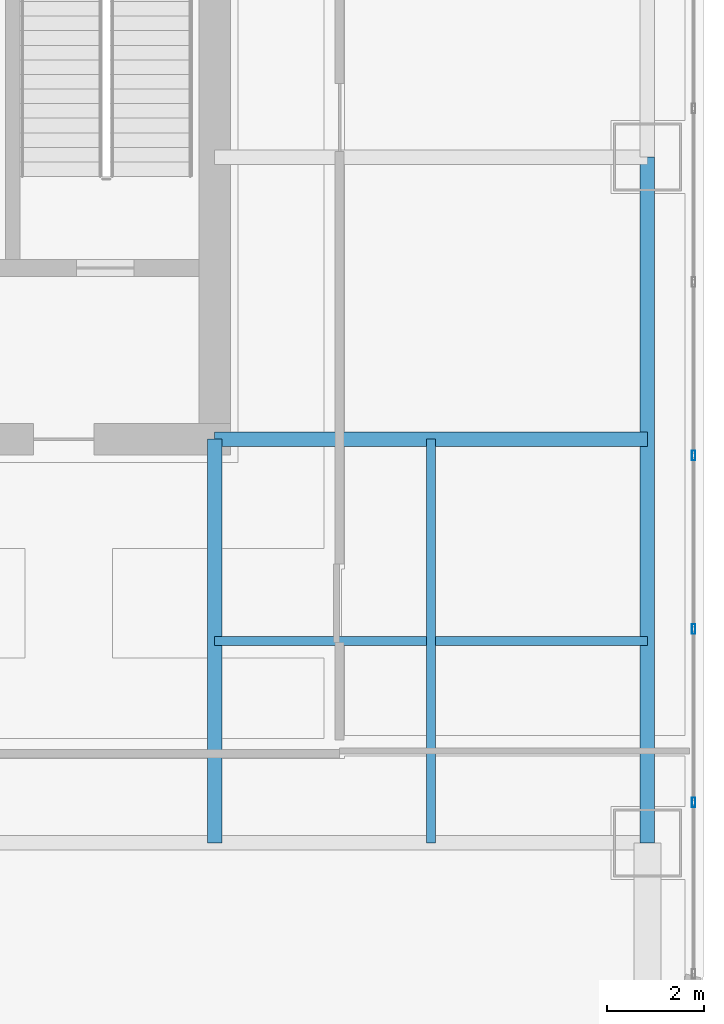
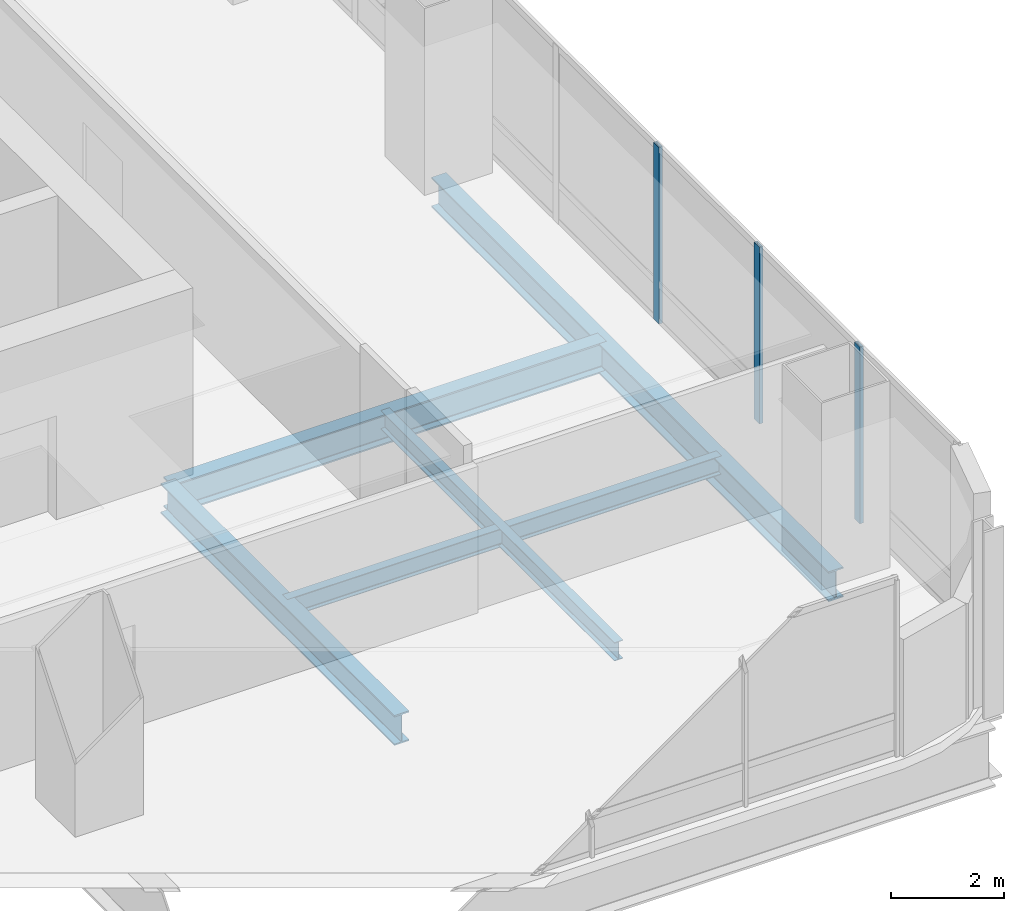
# One storey, part 13 of 38: 5 beams, 3 members, 1 element without a shape of its own.
"""IFC4 building model written with IfcOpenShell, lengths in metres."""

from ifc_helpers import new_model, si_unit, direction, frame, origin, origin_2d, place, context, subcontext, project, spatial, hollow_rectangle, i_section, extrude, material, material_profile, profile_set, type_object, element, aggregate, save


model = new_model("IFC4")

# Units and contexts
model_context = context("Model", 3, precision=1e-05, world=origin(), true_north=direction((0.0, 1.0)))
body_context = subcontext(model_context, "Body", "Model", "MODEL_VIEW")
ifc_project = project(units=[si_unit("LENGTHUNIT", "METRE"), si_unit("AREAUNIT", "SQUARE_METRE"), si_unit("VOLUMEUNIT", "CUBIC_METRE"), si_unit("PLANEANGLEUNIT", "RADIAN"), si_unit("MASSUNIT", "GRAM", prefix="KILO")], contexts=[model_context])

# Site, building, storey
site_placement = place(None, origin())
site = spatial("IfcSite", under=ifc_project, at=site_placement, CompositionType="ELEMENT")
building_placement = place(site_placement, origin())
building = spatial("IfcBuilding", under=site, at=building_placement, Name="Punatoya Terracotta Tower", CompositionType="ELEMENT")
storey_placement = place(building_placement, frame((0.0, 0.0, 188.39990234375)))
storey = spatial("IfcBuildingStorey", under=building, at=storey_placement, Name="L44", CompositionType="ELEMENT", Elevation=188.39990234375)

# Beams
ifc_material_1 = material(Name="Steel S355", Category="steel")
ifc_material_profile_1 = material_profile(ifc_material_1, i_section(OverallWidth=0.300048828125, OverallDepth=0.64990234375, WebThickness=0.01611328125, FlangeThickness=0.031005859375, FilletRadius=0.01806640625, at=origin_2d()))
ifc_profile_set_1 = profile_set([ifc_material_profile_1], Name="Steel S355")
beam_type_1 = type_object("IfcBeamType", Name="BM-PRI-650", PredefinedType="BEAM", material=ifc_profile_set_1)
beam_1_placement = place(storey_placement, frame((19.10009765625, -17.5, -0.544921875), z_axis=(0.0, 1.0, 0.0), x_axis=(-1.0, 0.0, 0.0)))
element("IfcBeam", 1, at=beam_1_placement, inside=storey, type_object=beam_type_1, Name="BM-L44-RG-E1", PredefinedType="BEAM", context=body_context, shape_type="SweptSolid", body=[
    extrude(i_section(OverallWidth=0.300048828125, OverallDepth=0.64990234375, WebThickness=0.01611328125, FlangeThickness=0.031005859375, FilletRadius=0.01806640625, at=origin_2d()), origin(), (0.0, 0.0, 1.0), 14.10009765625),
])
beam_2_placement = place(storey_placement, frame((10.199951171875, -9.199951171875, -0.544921875), z_axis=(1.0, 0.0, 0.0), x_axis=(0.0, 1.0, 0.0)))
element("IfcBeam", 2, at=beam_2_placement, inside=storey, type_object=beam_type_1, Name="BM-L44-PR-ES", PredefinedType="BEAM", context=body_context, shape_type="SweptSolid", body=[
    extrude(i_section(OverallWidth=0.300048828125, OverallDepth=0.64990234375, WebThickness=0.01611328125, FlangeThickness=0.031005859375, FilletRadius=0.01806640625, at=origin_2d()), origin(), (0.0, 0.0, 1.0), 8.900146484375),
])
beam_3_placement = place(storey_placement, frame((10.199951171875, -17.5, -0.544921875), z_axis=(0.0, 1.0, 0.0), x_axis=(-1.0, 0.0, 0.0)))
element("IfcBeam", 3, at=beam_3_placement, inside=storey, type_object=beam_type_1, Name="BM-L44-PR-S4", PredefinedType="BEAM", context=body_context, shape_type="SweptSolid", body=[
    extrude(i_section(OverallWidth=0.300048828125, OverallDepth=0.64990234375, WebThickness=0.01611328125, FlangeThickness=0.031005859375, FilletRadius=0.01806640625, at=origin_2d()), origin(), (0.0, 0.0, 1.0), 8.300048828125),
])
ifc_material_profile_2 = material_profile(ifc_material_1, i_section(OverallWidth=0.179931640625, OverallDepth=0.39990234375, WebThickness=0.008544921875, FlangeThickness=0.013427734375, FilletRadius=0.01806640625, at=origin_2d()))
ifc_profile_set_2 = profile_set([ifc_material_profile_2], Name="Steel S355")
beam_type_2 = type_object("IfcBeamType", Name="BM-SEC-400", PredefinedType="JOIST", material=ifc_profile_set_2)
beam_4_placement = place(storey_placement, frame((10.199951171875, -13.35009765625, -0.419921875), z_axis=(1.0, 0.0, 0.0), x_axis=(0.0, 1.0, 0.0)))
element("IfcBeam", 4, at=beam_4_placement, inside=storey, type_object=beam_type_2, Name="BM-L44-SJS-2", PredefinedType="JOIST", context=body_context, shape_type="SweptSolid", body=[
    extrude(i_section(OverallWidth=0.179931640625, OverallDepth=0.39990234375, WebThickness=0.008544921875, FlangeThickness=0.013427734375, FilletRadius=0.01806640625, at=origin_2d()), origin(), (0.0, 0.0, 1.0), 8.900146484375),
])
beam_5_placement = place(storey_placement, frame((14.64990234375, -17.5, -0.419921875), z_axis=(0.0, 1.0, 0.0), x_axis=(-1.0, 0.0, 0.0)))
element("IfcBeam", 5, at=beam_5_placement, inside=storey, type_object=beam_type_2, Name="BM-L44-SJE-1", PredefinedType="JOIST", context=body_context, shape_type="SweptSolid", body=[
    extrude(i_section(OverallWidth=0.179931640625, OverallDepth=0.39990234375, WebThickness=0.008544921875, FlangeThickness=0.013427734375, FilletRadius=0.01806640625, at=origin_2d()), origin(), (0.0, 0.0, 1.0), 8.300048828125),
])

# Curtain wall, members
ifc_material_2 = material(Name="Aluminium 6063-T6 + Double Low-E Glass", Category="aluminium")
curtain_wall_type = type_object("IfcCurtainWallType", Name="CW-M2", PredefinedType="NOTDEFINED", material=ifc_material_2)
curtain_wall_placement = place(storey_placement, origin())
curtain_wall = element("IfcCurtainWall", 6, at=curtain_wall_placement, inside=storey, type_object=curtain_wall_type, Name="L44 Curtain Wall CW-L44-E05-1", PredefinedType="NOTDEFINED")
ifc_material_3 = material(Name="Aluminium 6063-T6", Category="aluminium")
ifc_material_profile_3 = material_profile(ifc_material_3, hollow_rectangle(XDim=0.072021484375, YDim=0.195068359375, WallThickness=0.00439453125, at=origin_2d()))
ifc_profile_set_3 = profile_set([ifc_material_profile_3], Name="Aluminium 6063-T6")
member_type = type_object("IfcMemberType", Name="CW-MUL-M2", PredefinedType="MULLION", material=ifc_profile_set_3)
member_1_placement = place(storey_placement, frame((20.050048828125, -16.66943359375, 0.0), z_axis=(0.0, 0.0, 1.0), x_axis=(1.0, 0.0, 0.0)))
member_1 = element("IfcMember", 7, at=member_1_placement, type_object=member_type, Name="CW-L44-E05-1 Mullion 01", PredefinedType="MULLION", context=body_context, shape_type="SweptSolid", body=[
    extrude(hollow_rectangle(XDim=0.072021484375, YDim=0.195068359375, WallThickness=0.00439453125, at=origin_2d()), origin(), (0.0, 0.0, 1.0), 3.830078125),
])
member_2_placement = place(storey_placement, frame((20.050048828125, -13.10205078125, 0.0), z_axis=(0.0, 0.0, 1.0), x_axis=(1.0, 0.0, 0.0)))
member_2 = element("IfcMember", 8, at=member_2_placement, type_object=member_type, Name="CW-L44-E05-1 Mullion 02", PredefinedType="MULLION", context=body_context, shape_type="SweptSolid", body=[
    extrude(hollow_rectangle(XDim=0.072021484375, YDim=0.195068359375, WallThickness=0.00439453125, at=origin_2d()), origin(), (0.0, 0.0, 1.0), 3.830078125),
])
member_3_placement = place(storey_placement, frame((20.050048828125, -9.534912109375, 0.0), z_axis=(0.0, 0.0, 1.0), x_axis=(1.0, 0.0, 0.0)))
member_3 = element("IfcMember", 9, at=member_3_placement, type_object=member_type, Name="CW-L44-E05-1 Mullion 03", PredefinedType="MULLION", context=body_context, shape_type="SweptSolid", body=[
    extrude(hollow_rectangle(XDim=0.072021484375, YDim=0.195068359375, WallThickness=0.00439453125, at=origin_2d()), origin(), (0.0, 0.0, 1.0), 3.830078125),
])
aggregate(curtain_wall, [member_1, member_2, member_3])

save(model, "model.ifc")
